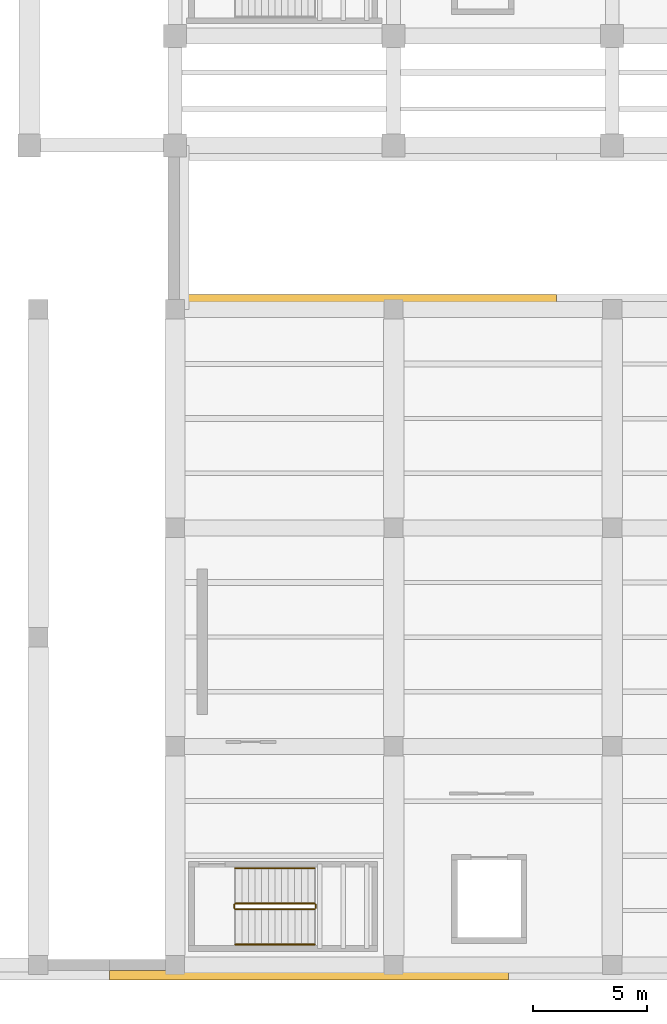
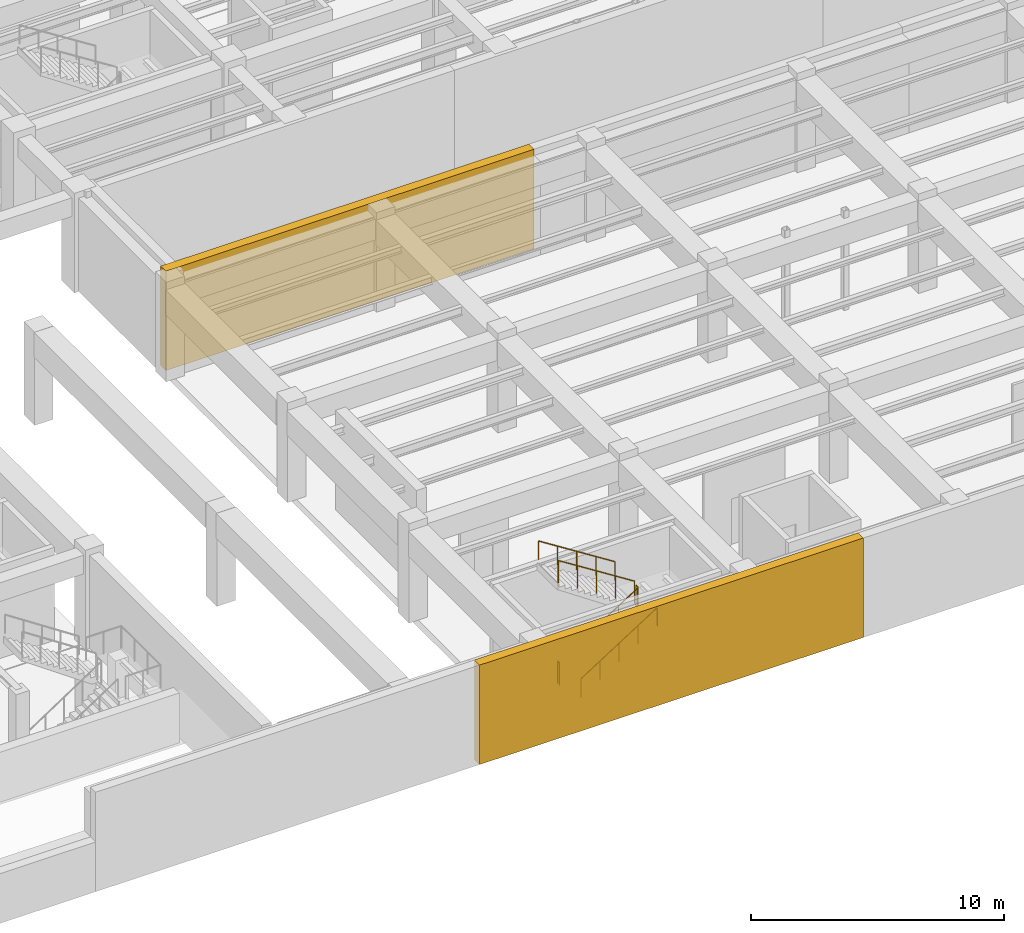
# One storey, part 38 of 45: 6 railings, 2 coverings.
"""IFC4 building model written with IfcOpenShell, lengths in metres."""

from ifc_helpers import new_model, si_unit, direction, frame, origin, origin_2d, place, context, subcontext, project, spatial, polyline, circle, outline, extrude, material, layer, layer_set, type_object, element, save


model = new_model("IFC4")

# Units and contexts
model_context = context("Model", 3, precision=1e-05, world=origin(), true_north=direction((0.0, 1.0)))
body_context = subcontext(model_context, "Body", "Model", "MODEL_VIEW")
ifc_project = project(units=[si_unit("LENGTHUNIT", "METRE"), si_unit("AREAUNIT", "SQUARE_METRE"), si_unit("VOLUMEUNIT", "CUBIC_METRE"), si_unit("PLANEANGLEUNIT", "RADIAN"), si_unit("MASSUNIT", "GRAM", prefix="KILO")], contexts=[model_context])

# Site, building, storey
site_placement = place(None, origin())
site = spatial("IfcSite", under=ifc_project, at=site_placement, CompositionType="ELEMENT")
building_placement = place(site_placement, origin())
building = spatial("IfcBuilding", under=site, at=building_placement, Name="Mavantir Sound Aquarium", CompositionType="ELEMENT")
storey_placement = place(building_placement, frame((0.0, 0.0, -4.800048828125)))
storey = spatial("IfcBuildingStorey", under=building, at=storey_placement, Name="B1", CompositionType="ELEMENT", Elevation=-4.800048828125)

# Coverings
ifc_material_1 = material(Name="Honed Coral-Limestone & Glazed Terracotta Rainscreen Cladding", Category="masonry")
ifc_layer = layer(ifc_material_1, 0.06005859375, Name="Honed Coral-Limestone & Glazed Terracotta Rainscreen Cladding")
ifc_layer_set = layer_set([ifc_layer], Name="Honed Coral-Limestone & Glazed Terracotta Rainscreen Cladding")
covering_type = type_object("IfcCoveringType", Name="COV-CLAD-TC", PredefinedType="CLADDING", material=ifc_layer_set)
covering_1_placement = place(storey_placement, origin())
element("IfcCovering", 1, at=covering_1_placement, inside=storey, type_object=covering_type, Name="B1 rusticated coral-stone plinth cladding 6", PredefinedType="CLADDING", context=body_context, shape_type="SweptSolid", body=[
    extrude(outline(polyline([(124.762451171875, 29.050048828125), (107.949951171875, 29.050048828125), (107.949951171875, 29.4599609375), (124.762451171875, 29.4599609375), (124.762451171875, 29.050048828125)])), origin(), (0.0, 0.0, 1.0), 4.800048828125),
])
covering_2_placement = place(storey_placement, origin())
element("IfcCovering", 2, at=covering_2_placement, inside=storey, type_object=covering_type, Name="B1 rusticated coral-stone plinth cladding 49", PredefinedType="CLADDING", context=body_context, shape_type="SweptSolid", body=[
    extrude(outline(polyline([(105.1201171875, -0.25), (122.639892578125, -0.25), (122.639892578125, -0.659912109375), (105.1201171875, -0.659912109375), (105.1201171875, -0.25)])), origin(), (0.0, 0.0, 1.0), 4.800048828125),
])

# Railings
ifc_material_2 = material(Name="Stainless Steel 316 and Laminated Glass Guardrail", Category="steel")
railing_type_1 = type_object("IfcRailingType", Name="RL-GUARD-110", PredefinedType="GUARDRAIL", material=ifc_material_2)
railing_1_placement = place(storey_placement, frame((110.64990234375, 2.449951171875, 0.1845703125)))
element("IfcRailing", 3, at=railing_1_placement, inside=storey, type_object=railing_type_1, Name="B1 ST6 stair guard 1", PredefinedType="GUARDRAIL", context=body_context, shape_type="SweptSolid", body=[
    extrude(circle(Radius=0.02392578125, at=origin_2d()), frame((0.0, 0.0, 1.076171875), z_axis=(0.843546938479, 0.0, 0.53705545578), x_axis=(0.0, 1.0, 0.0)), (0.0, 0.0, 1.0), 4.12548828125),
    extrude(circle(Radius=0.02099609375, at=origin_2d()), origin(), (0.0, 0.0, 1.0), 1.052001953125),
    extrude(circle(Radius=0.02099609375, at=origin_2d()), frame((0.8701171875, 0.0, 0.553955078125)), (0.0, 0.0, 1.0), 1.052001953125),
    extrude(circle(Radius=0.02099609375, at=origin_2d()), frame((1.739990234375, 0.0, 1.10791015625)), (0.0, 0.0, 1.0), 1.052001953125),
    extrude(circle(Radius=0.02099609375, at=origin_2d()), frame((2.60986328125, 0.0, 1.66162109375)), (0.0, 0.0, 1.0), 1.052001953125),
    extrude(circle(Radius=0.02099609375, at=origin_2d()), frame((3.47998046875, 0.0, 2.215576171875)), (0.0, 0.0, 1.0), 1.052001953125),
])
railing_2_placement = place(storey_placement, frame((114.179931640625, 2.5, 2.400146484375)))
element("IfcRailing", 4, at=railing_2_placement, inside=storey, type_object=railing_type_1, Name="B1 ST6 stair guard 2", PredefinedType="GUARDRAIL", context=body_context, shape_type="SweptSolid", body=[
    extrude(circle(Radius=0.02392578125, at=origin_2d()), frame((0.0, 0.0, 1.076171875), z_axis=(0.0, 1.0, 0.0), x_axis=(-1.0, 0.0, 0.0)), (0.0, 0.0, 1.0), 0.14990234375),
    extrude(circle(Radius=0.02099609375, at=origin_2d()), origin(), (0.0, 0.0, 1.0), 1.052001953125),
    extrude(circle(Radius=0.02099609375, at=origin_2d()), frame((0.0, 0.14990234375, 0.0)), (0.0, 0.0, 1.0), 1.052001953125),
])
railing_3_placement = place(storey_placement, frame((114.1298828125, 2.699951171875, 2.584716796875)))
element("IfcRailing", 5, at=railing_3_placement, inside=storey, type_object=railing_type_1, Name="B1 ST6 stair guard 3", PredefinedType="GUARDRAIL", context=body_context, shape_type="SweptSolid", body=[
    extrude(circle(Radius=0.02392578125, at=origin_2d()), frame((0.0, 0.0, 1.076171875), z_axis=(-0.843573748531, 0.0, 0.537013343214), x_axis=(0.0, -1.0, 0.0)), (0.0, 0.0, 1.0), 4.125244140625),
    extrude(circle(Radius=0.02099609375, at=origin_2d()), origin(), (0.0, 0.0, 1.0), 1.052001953125),
    extrude(circle(Radius=0.02099609375, at=origin_2d()), frame((-0.8701171875, 0.0, 0.5537109375)), (0.0, 0.0, 1.0), 1.052001953125),
    extrude(circle(Radius=0.02099609375, at=origin_2d()), frame((-1.739990234375, 0.0, 1.107666015625)), (0.0, 0.0, 1.0), 1.052001953125),
    extrude(circle(Radius=0.02099609375, at=origin_2d()), frame((-2.60986328125, 0.0, 1.66162109375)), (0.0, 0.0, 1.0), 1.052001953125),
    extrude(circle(Radius=0.02099609375, at=origin_2d()), frame((-3.47998046875, 0.0, 2.21533203125)), (0.0, 0.0, 1.0), 1.052001953125),
])
railing_4_placement = place(storey_placement, frame((110.60009765625, 2.5, 0.0)))
element("IfcRailing", 6, at=railing_4_placement, inside=storey, type_object=railing_type_1, Name="B1 ST6 stair guard 4", PredefinedType="GUARDRAIL", context=body_context, shape_type="SweptSolid", body=[
    extrude(circle(Radius=0.02392578125, at=origin_2d()), frame((0.0, 0.0, 1.076171875), z_axis=(0.0, 1.0, 0.0), x_axis=(-1.0, 0.0, 0.0)), (0.0, 0.0, 1.0), 0.14990234375),
    extrude(circle(Radius=0.02099609375, at=origin_2d()), origin(), (0.0, 0.0, 1.0), 1.052001953125),
    extrude(circle(Radius=0.02099609375, at=origin_2d()), frame((0.0, 0.14990234375, 0.0)), (0.0, 0.0, 1.0), 1.052001953125),
])
ifc_material_3 = material(Name="Brushed Stainless Steel 316 Handrail", Category="steel")
railing_type_2 = type_object("IfcRailingType", Name="RL-HR-90", PredefinedType="HANDRAIL", material=ifc_material_3)
railing_5_placement = place(storey_placement, frame((110.64990234375, 0.89990234375, 0.36962890625)))
element("IfcRailing", 7, at=railing_5_placement, inside=storey, type_object=railing_type_2, Name="B1 ST6 stair handrail 1", PredefinedType="HANDRAIL", context=body_context, shape_type="SweptSolid", body=[
    extrude(circle(Radius=0.02392578125, at=origin_2d()), frame((0.0, 0.0, 0.89111328125), z_axis=(0.843573748531, 0.0, 0.537013343214), x_axis=(0.0, 1.0, 0.0)), (0.0, 0.0, 1.0), 4.125244140625),
    extrude(circle(Radius=0.02099609375, at=origin_2d()), origin(), (0.0, 0.0, 1.0), 0.866943359375),
    extrude(circle(Radius=0.02099609375, at=origin_2d()), frame((0.8701171875, 0.0, 0.5537109375)), (0.0, 0.0, 1.0), 0.866943359375),
    extrude(circle(Radius=0.02099609375, at=origin_2d()), frame((1.739990234375, 0.0, 1.107666015625)), (0.0, 0.0, 1.0), 0.866943359375),
    extrude(circle(Radius=0.02099609375, at=origin_2d()), frame((2.60986328125, 0.0, 1.66162109375)), (0.0, 0.0, 1.0), 0.866943359375),
    extrude(circle(Radius=0.02099609375, at=origin_2d()), frame((3.47998046875, 0.0, 2.21533203125)), (0.0, 0.0, 1.0), 0.866943359375),
])
railing_6_placement = place(storey_placement, frame((114.1298828125, 4.25, 2.769775390625)))
element("IfcRailing", 8, at=railing_6_placement, inside=storey, type_object=railing_type_2, Name="B1 ST6 stair handrail 2", PredefinedType="HANDRAIL", context=body_context, shape_type="SweptSolid", body=[
    extrude(circle(Radius=0.02392578125, at=origin_2d()), frame((0.0, 0.0, 0.89111328125), z_axis=(-0.843573748531, 0.0, 0.537013343214), x_axis=(0.0, -1.0, 0.0)), (0.0, 0.0, 1.0), 4.125244140625),
    extrude(circle(Radius=0.02099609375, at=origin_2d()), origin(), (0.0, 0.0, 1.0), 0.866943359375),
    extrude(circle(Radius=0.02099609375, at=origin_2d()), frame((-0.8701171875, 0.0, 0.5537109375)), (0.0, 0.0, 1.0), 0.866943359375),
    extrude(circle(Radius=0.02099609375, at=origin_2d()), frame((-1.739990234375, 0.0, 1.107666015625)), (0.0, 0.0, 1.0), 0.866943359375),
    extrude(circle(Radius=0.02099609375, at=origin_2d()), frame((-2.60986328125, 0.0, 1.66162109375)), (0.0, 0.0, 1.0), 0.866943359375),
    extrude(circle(Radius=0.02099609375, at=origin_2d()), frame((-3.47998046875, 0.0, 2.21533203125)), (0.0, 0.0, 1.0), 0.866943359375),
])

save(model, "model.ifc")
